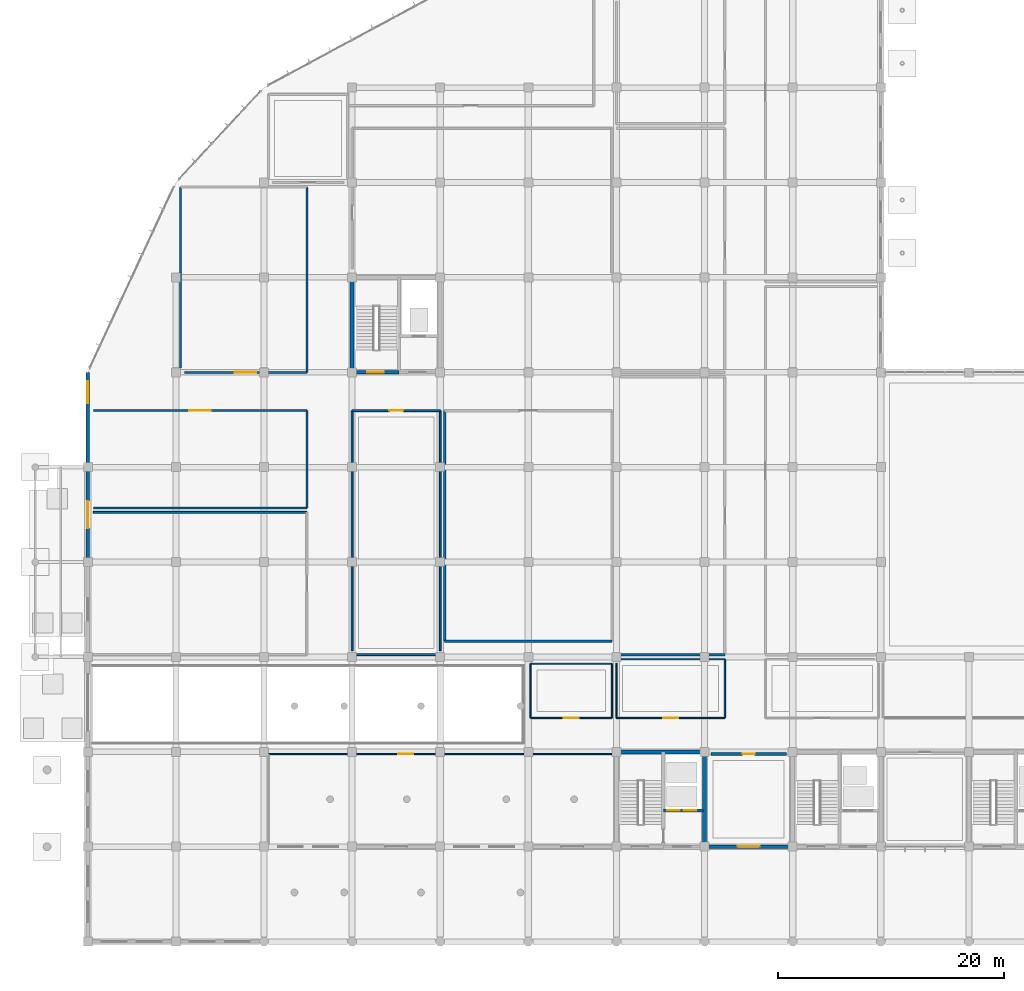
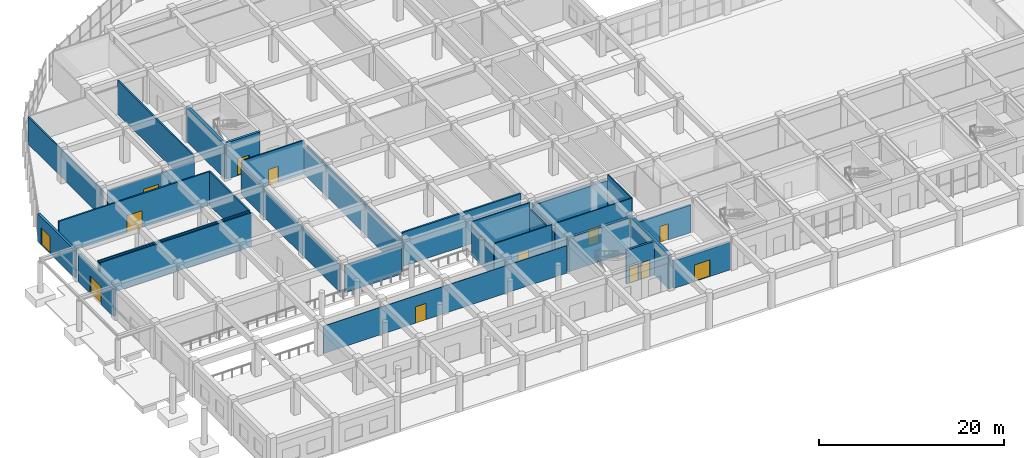
# One storey, part 122 of 139: 32 walls, 13 doors, 13 openings.
"""IFC4 building model written with IfcOpenShell, lengths in metres."""

from ifc_helpers import new_model, si_unit, direction, frame, frame_2d, origin, place, context, subcontext, project, spatial, rectangle, extrude, material, layer, layer_set, type_object, element, fill, save


model = new_model("IFC4")

# Units and contexts
model_context = context("Model", 3, precision=1e-05, world=origin(), true_north=direction((0.0, 1.0)))
body_context = subcontext(model_context, "Body", "Model", "MODEL_VIEW")
ifc_project = project(units=[si_unit("LENGTHUNIT", "METRE"), si_unit("AREAUNIT", "SQUARE_METRE"), si_unit("VOLUMEUNIT", "CUBIC_METRE"), si_unit("PLANEANGLEUNIT", "RADIAN"), si_unit("MASSUNIT", "GRAM", prefix="KILO")], contexts=[model_context])

# Site, building, storey
site_placement = place(None, origin())
site = spatial("IfcSite", under=ifc_project, at=site_placement, CompositionType="ELEMENT")
building_placement = place(site_placement, origin())
building = spatial("IfcBuilding", under=site, at=building_placement, Name="Zizhar Promenade General Hospital", CompositionType="ELEMENT")
storey_placement = place(building_placement, origin())
storey = spatial("IfcBuildingStorey", under=building, at=storey_placement, Name="L00", CompositionType="ELEMENT", Elevation=0.0)

# Wall, opening, door
ifc_material_1 = material(Name="Precast concrete C40/50", Category="concrete")
ifc_layer_1 = layer(ifc_material_1, 0.2900390625)
ifc_layer_set_1 = layer_set([ifc_layer_1], Name="Precast concrete C40/50")
wall_type_1 = type_object("IfcWallType", Name="EW-PC-290", PredefinedType="STANDARD", material=ifc_layer_set_1)
wall_1_placement = place(storey_placement, frame((0.0, 42.340087890625, 0.0), z_axis=(0.0, 0.0, 1.0), x_axis=(0.0, 1.0, 0.0)))
wall_1 = element("IfcWall", 1, at=wall_1_placement, inside=storey, type_object=wall_type_1, Name="Emergency Stair ST-01 West Exit Wall", PredefinedType="STANDARD", context=body_context, shape_type="SweptSolid", body=[
    extrude(rectangle(XDim=8.059814453125, YDim=0.2900390625, at=frame_2d((4.02978515625, 0.0))), origin(), (0.0, 0.0, 1.0), 3.6298828125),
])
opening_1_placement = place(wall_1_placement, frame((5.306884765625, 0.0, 0.0)))
opening_1 = element("IfcOpeningElement", 2, at=opening_1_placement, cuts=wall_1, Name="Opening ED-02", PredefinedType="OPENING", context=body_context, shape_type="SweptSolid", body=[
    extrude(rectangle(XDim=1.9599609375, YDim=2.199951171875, at=frame_2d((0.97998046875, 1.10009765625))), frame((0.0, 0.155029296875, 0.0), z_axis=(0.0, -1.0, 0.0), x_axis=(1.0, 0.0, 0.0)), (0.0, 0.0, 1.0), 0.31005859375),
])
ifc_material_2 = material(Name="Anodised aluminium 6063-T6 and laminated safety glass", Category="aluminium")
door_type_1 = type_object("IfcDoorType", Name="DR-EXT-EXIT-196x220", OperationType="DOUBLE_DOOR_SINGLE_SWING", PredefinedType="DOOR", material=ifc_material_2)
door_1_placement = place(opening_1_placement, origin())
door_1 = element("IfcDoor", 3, at=door_1_placement, inside=storey, type_object=door_type_1, Name="Exit Stair ST-01 West Final Exit Door", OperationType="DOUBLE_DOOR_SINGLE_SWING", OverallHeight=2.199951171875, OverallWidth=1.9599609375, PredefinedType="DOOR", context=body_context, shape_type="SweptSolid", body=[
    extrude(rectangle(XDim=1.9599609375, YDim=2.199951171875, at=frame_2d((0.97998046875, 1.10009765625))), frame((0.0, 0.02490234375, 0.0), z_axis=(0.0, -1.0, 0.0), x_axis=(1.0, 0.0, 0.0)), (0.0, 0.0, 1.0), 0.050048828125),
])
fill(opening_1, door_1)

ifc_material_3 = material(Name="Precast concrete C40/50", Category="concrete")
ifc_layer_2 = layer(ifc_material_3, 0.320068359375)
ifc_layer_set_2 = layer_set([ifc_layer_2], Name="Precast concrete C40/50")
wall_type_2 = type_object("IfcWallType", Name="EW-PC-320", PredefinedType="STANDARD", material=ifc_layer_set_2)
wall_2_placement = place(storey_placement, frame((62.06005859375, 8.39990234375, 0.0), z_axis=(0.0, 0.0, 1.0), x_axis=(-1.0, 0.0, 0.0)))
wall_2 = element("IfcWall", 4, at=wall_2_placement, inside=storey, type_object=wall_type_2, Name="Promenade Ground Wall Bay 6", PredefinedType="STANDARD", context=body_context, shape_type="SweptSolid", body=[
    extrude(rectangle(XDim=7.1201171875, YDim=0.320068359375, at=frame_2d((3.56005859375, 0.0))), origin(), (0.0, 0.0, 1.0), 3.6298828125),
])
opening_2_placement = place(wall_2_placement, frame((2.580078125, 0.0, 0.0)))
opening_2 = element("IfcOpeningElement", 5, at=opening_2_placement, cuts=wall_2, Name="Opening ED-02", PredefinedType="OPENING", context=body_context, shape_type="SweptSolid", body=[
    extrude(rectangle(XDim=1.9599609375, YDim=2.199951171875, at=frame_2d((0.97998046875, 1.10009765625))), frame((0.0, 0.169921875, 0.0), z_axis=(0.0, -1.0, 0.0), x_axis=(1.0, 0.0, 0.0)), (0.0, 0.0, 1.0), 0.340087890625),
])
door_2_placement = place(opening_2_placement, origin())
door_2 = element("IfcDoor", 6, at=door_2_placement, inside=storey, type_object=door_type_1, Name="Promenade Final Exit Door 6", OperationType="DOUBLE_DOOR_SINGLE_SWING", OverallHeight=2.199951171875, OverallWidth=1.9599609375, PredefinedType="DOOR", context=body_context, shape_type="SweptSolid", body=[
    extrude(rectangle(XDim=1.9599609375, YDim=2.199951171875, at=frame_2d((0.97998046875, 1.10009765625))), frame((0.0, 0.02490234375, 0.0), z_axis=(0.0, -1.0, 0.0), x_axis=(1.0, 0.0, 0.0)), (0.0, 0.0, 1.0), 0.050048828125),
])
fill(opening_2, door_2)

wall_3_placement = place(storey_placement, frame((0.0, 33.93994140625, 0.0), z_axis=(0.0, 0.0, 1.0), x_axis=(0.0, 1.0, 0.0)))
wall_3 = element("IfcWall", 7, at=wall_3_placement, inside=storey, type_object=wall_type_2, Name="Emergency Ambulance Bay Entrance Wall", PredefinedType="STANDARD", context=body_context, shape_type="SweptSolid", body=[
    extrude(rectangle(XDim=7.719970703125, YDim=0.320068359375, at=frame_2d((3.85986328125, 0.0))), origin(), (0.0, 0.0, 1.0), 3.614990234375),
])
opening_3_placement = place(wall_3_placement, frame((2.659912109375, 0.0, 0.0)))
opening_3 = element("IfcOpeningElement", 8, at=opening_3_placement, cuts=wall_3, Name="Opening ED-03", PredefinedType="OPENING", context=body_context, shape_type="SweptSolid", body=[
    extrude(rectangle(XDim=2.39990234375, YDim=2.35009765625, at=frame_2d((1.199951171875, 1.175048828125))), frame((0.0, 0.169921875, 0.0), z_axis=(0.0, -1.0, 0.0), x_axis=(1.0, 0.0, 0.0)), (0.0, 0.0, 1.0), 0.340087890625),
])
ifc_material_4 = material(Name="Anodised aluminium 6063-T6 and laminated safety glass", Category="aluminium")
door_type_2 = type_object("IfcDoorType", Name="DR-EXT-AMB-240x235", OperationType="SLIDING_TO_LEFT", PredefinedType="DOOR", material=ifc_material_4)
door_3_placement = place(opening_3_placement, origin())
door_3 = element("IfcDoor", 9, at=door_3_placement, inside=storey, type_object=door_type_2, Name="Emergency Ambulance Trauma Entrance", OperationType="SLIDING_TO_LEFT", OverallHeight=2.35009765625, OverallWidth=2.39990234375, PredefinedType="DOOR", context=body_context, shape_type="SweptSolid", body=[
    extrude(rectangle(XDim=2.39990234375, YDim=2.35009765625, at=frame_2d((1.199951171875, 1.175048828125))), frame((0.0, 0.02490234375, 0.0), z_axis=(0.0, -1.0, 0.0), x_axis=(1.0, 0.0, 0.0)), (0.0, 0.0, 1.0), 0.050048828125),
])
fill(opening_3, door_3)

ifc_material_5 = material(Name="Concrete C35/45", Category="concrete")
ifc_layer_3 = layer(ifc_material_5, 0.284912109375)
ifc_layer_set_3 = layer_set([ifc_layer_3], Name="Concrete C35/45")
wall_type_3 = type_object("IfcWallType", Name="IW-COMP-285", PredefinedType="STANDARD", material=ifc_layer_set_3)
wall_4_placement = place(storey_placement, frame((55.159912109375, 16.60009765625, 0.0), z_axis=(0.0, 0.0, 1.0), x_axis=(1.0, 0.0, 0.0)))
wall_4 = element("IfcWall", 10, at=wall_4_placement, inside=storey, type_object=wall_type_3, Name="Central Fire Security Post N Partition", PredefinedType="STANDARD", context=body_context, shape_type="SweptSolid", body=[
    extrude(rectangle(XDim=6.68017578125, YDim=0.284912109375, at=frame_2d((3.340087890625, 0.0))), origin(), (0.0, 0.0, 1.0), 3.6298828125),
])
opening_4_placement = place(wall_4_placement, frame((2.800048828125, 0.0, 0.0)))
opening_4 = element("IfcOpeningElement", 11, at=opening_4_placement, cuts=wall_4, Name="Opening D-27", PredefinedType="OPENING", context=body_context, shape_type="SweptSolid", body=[
    extrude(rectangle(XDim=1.080078125, YDim=2.14990234375, at=frame_2d((0.5400390625, 1.074951171875))), frame((0.0, 0.15234375, 0.0), z_axis=(0.0, -1.0, 0.0), x_axis=(1.0, 0.0, 0.0)), (0.0, 0.0, 1.0), 0.304931640625),
])
ifc_material_6 = material(Name="Steel S355 fire command door", Category="steel")
door_type_3 = type_object("IfcDoorType", Name="DR-FIRE-POST-108x215", OperationType="SINGLE_SWING_LEFT", PredefinedType="DOOR", material=ifc_material_6)
door_4_placement = place(opening_4_placement, origin())
door_4 = element("IfcDoor", 12, at=door_4_placement, inside=storey, type_object=door_type_3, Name="Central Fire Security Post Door", OperationType="SINGLE_SWING_LEFT", OverallHeight=2.14990234375, OverallWidth=1.080078125, PredefinedType="DOOR", context=body_context, shape_type="SweptSolid", body=[
    extrude(rectangle(XDim=1.080078125, YDim=2.14990234375, at=frame_2d((0.5400390625, 1.074951171875))), frame((0.0, 0.02490234375, 0.0), z_axis=(0.0, -1.0, 0.0), x_axis=(1.0, 0.0, 0.0)), (0.0, 0.0, 1.0), 0.050048828125),
])
fill(opening_4, door_4)

# Wall
ifc_material_7 = material(Name="Fire-rated corridor gypsum partition")
ifc_layer_4 = layer(ifc_material_7, 0.1650390625)
ifc_layer_set_4 = layer_set([ifc_layer_4], Name="Fire-rated corridor gypsum partition")
wall_type_4 = type_object("IfcWallType", Name="IW-CORR-165", PredefinedType="PARTITIONING", material=ifc_layer_set_4)
wall_5_placement = place(storey_placement, frame((23.760009765625, 25.39990234375, 0.0), z_axis=(0.0, 0.0, 1.0), x_axis=(1.0, 0.0, 0.0)))
element("IfcWall", 13, at=wall_5_placement, inside=storey, type_object=wall_type_4, Name="Emergency Nurse Station and Accessible Toilet S Partition", PredefinedType="PARTITIONING", context=body_context, shape_type="SweptSolid", body=[
    extrude(rectangle(XDim=7.080078125, YDim=0.1650390625, at=frame_2d((3.5400390625, 0.0))), origin(), (0.0, 0.0, 1.0), 3.6298828125),
])

# Wall, opening, door
wall_6_placement = place(storey_placement, frame((23.39990234375, 47.0, 0.0), z_axis=(0.0, 0.0, 1.0), x_axis=(1.0, 0.0, 0.0)))
wall_6 = element("IfcWall", 14, at=wall_6_placement, inside=storey, type_object=wall_type_4, Name="Emergency Nurse Station and Accessible Toilet N Partition", PredefinedType="PARTITIONING", context=body_context, shape_type="SweptSolid", body=[
    extrude(rectangle(XDim=7.800048828125, YDim=0.1650390625, at=frame_2d((3.89990234375, 0.0))), origin(), (0.0, 0.0, 1.0), 4.4599609375),
])
opening_5_placement = place(wall_6_placement, frame((3.27490234375, 0.0, 0.0)))
opening_5 = element("IfcOpeningElement", 15, at=opening_5_placement, cuts=wall_6, Name="Opening D-13", PredefinedType="OPENING", context=body_context, shape_type="SweptSolid", body=[
    extrude(rectangle(XDim=1.25, YDim=2.14990234375, at=frame_2d((0.625, 1.074951171875))), frame((0.0, 0.092529296875, 0.0), z_axis=(0.0, -1.0, 0.0), x_axis=(1.0, 0.0, 0.0)), (0.0, 0.0, 1.0), 0.18505859375),
])
ifc_material_8 = material(Name="Fire-rated timber clinical leaf", Category="wood")
door_type_4 = type_object("IfcDoorType", Name="DR-ED-EXAM-125x215", OperationType="NOTDEFINED", PredefinedType="DOOR", material=ifc_material_8)
door_5_placement = place(opening_5_placement, origin())
door_5 = element("IfcDoor", 16, at=door_5_placement, inside=storey, type_object=door_type_4, Name="Emergency Nurse Station and Accessible Toilet Door", OperationType="SINGLE_SWING_RIGHT", OverallHeight=2.14990234375, OverallWidth=1.25, PredefinedType="DOOR", context=body_context, shape_type="SweptSolid", body=[
    extrude(rectangle(XDim=1.25, YDim=2.14990234375, at=frame_2d((0.625, 1.074951171875))), frame((0.0, 0.02490234375, 0.0), z_axis=(0.0, -1.0, 0.0), x_axis=(1.0, 0.0, 0.0)), (0.0, 0.0, 1.0), 0.050048828125),
])
fill(opening_5, door_5)

# Walls
for number, where, z_axis, x_axis, name in (
    (17, (23.39990234375, 25.760009765625, 0.0), (0.0, 0.0, 1.0), (0.0, 1.0, 0.0), "Emergency Nurse Station and Accessible Toilet W Partition"),
    (18, (31.199951171875, 25.760009765625, 0.0), (0.0, 0.0, 1.0), (0.0, 1.0, 0.0), "Emergency Nurse Station and Accessible Toilet E Partition"),
):
    element("IfcWall", number, at=place(storey_placement, frame(where, z_axis=z_axis, x_axis=x_axis)), inside=storey, type_object=wall_type_4, Name=name, PredefinedType="PARTITIONING", context=body_context, shape_type="SweptSolid", body=[
        extrude(rectangle(XDim=21.239990234375, YDim=0.1650390625, at=frame_2d((10.6201171875, 0.0))), origin(), (0.0, 0.0, 1.0), 3.614990234375),
    ])
wall_7_placement = place(storey_placement, frame((0.5, 38.0, 0.0), z_axis=(0.0, 0.0, 1.0), x_axis=(1.0, 0.0, 0.0)))
element("IfcWall", 19, at=wall_7_placement, inside=storey, type_object=wall_type_4, Name="Emergency Department Walk-In Triage Suite N Partition", PredefinedType="PARTITIONING", context=body_context, shape_type="SweptSolid", body=[
    extrude(rectangle(XDim=18.89990234375, YDim=0.1650390625, at=frame_2d((9.449951171875, 0.0))), origin(), (0.0, 0.0, 1.0), 4.4599609375),
])
ifc_material_9 = material(Name="Acoustic double-stud clinical partition")
ifc_layer_5 = layer(ifc_material_9, 0.179931640625)
ifc_layer_set_5 = layer_set([ifc_layer_5], Name="Acoustic double-stud clinical partition")
wall_type_5 = type_object("IfcWallType", Name="IW-ICU-180", PredefinedType="PARTITIONING", material=ifc_layer_set_5)
wall_8_placement = place(storey_placement, frame((0.5, 38.39990234375, 0.0), z_axis=(0.0, 0.0, 1.0), x_axis=(1.0, 0.0, 0.0)))
element("IfcWall", 20, at=wall_8_placement, inside=storey, type_object=wall_type_5, Name="Emergency Department Resuscitation Bay S Partition", PredefinedType="PARTITIONING", context=body_context, shape_type="SweptSolid", body=[
    extrude(rectangle(XDim=18.89990234375, YDim=0.179931640625, at=frame_2d((9.449951171875, 0.0))), origin(), (0.0, 0.0, 1.0), 4.4599609375),
])

# Wall, opening, door
wall_9_placement = place(storey_placement, frame((0.5, 47.0, 0.0), z_axis=(0.0, 0.0, 1.0), x_axis=(1.0, 0.0, 0.0)))
wall_9 = element("IfcWall", 21, at=wall_9_placement, inside=storey, type_object=wall_type_5, Name="Emergency Department Resuscitation Bay N Partition", PredefinedType="PARTITIONING", context=body_context, shape_type="SweptSolid", body=[
    extrude(rectangle(XDim=18.89990234375, YDim=0.179931640625, at=frame_2d((9.449951171875, 0.0))), origin(), (0.0, 0.0, 1.0), 4.4599609375),
])
opening_6_placement = place(wall_9_placement, frame((8.5, 0.0, 0.0)))
opening_6 = element("IfcOpeningElement", 22, at=opening_6_placement, cuts=wall_9, Name="Opening D-12", PredefinedType="OPENING", context=body_context, shape_type="SweptSolid", body=[
    extrude(rectangle(XDim=1.89990234375, YDim=2.25, at=frame_2d((0.949951171875, 1.125))), frame((0.0, 0.10009765625, 0.0), z_axis=(0.0, -1.0, 0.0), x_axis=(1.0, 0.0, 0.0)), (0.0, 0.0, 1.0), 0.199951171875),
])
ifc_material_10 = material(Name="Fire-rated timber trauma pair", Category="wood")
door_type_5 = type_object("IfcDoorType", Name="DR-ED-RESUS-190x225", OperationType="DOUBLE_DOOR_SINGLE_SWING", PredefinedType="DOOR", material=ifc_material_10)
door_6_placement = place(opening_6_placement, origin())
door_6 = element("IfcDoor", 23, at=door_6_placement, inside=storey, type_object=door_type_5, Name="Emergency Department Resuscitation Bay Door", OperationType="DOUBLE_DOOR_SINGLE_SWING", OverallHeight=2.25, OverallWidth=1.89990234375, PredefinedType="DOOR", context=body_context, shape_type="SweptSolid", body=[
    extrude(rectangle(XDim=1.89990234375, YDim=2.25, at=frame_2d((0.949951171875, 1.125))), frame((0.0, 0.02490234375, 0.0), z_axis=(0.0, -1.0, 0.0), x_axis=(1.0, 0.0, 0.0)), (0.0, 0.0, 1.0), 0.050048828125),
])
fill(opening_6, door_6)

# Wall
wall_10_placement = place(storey_placement, frame((19.39990234375, 38.39990234375, 0.0), z_axis=(0.0, 0.0, 1.0), x_axis=(0.0, 1.0, 0.0)))
element("IfcWall", 24, at=wall_10_placement, inside=storey, type_object=wall_type_5, Name="Emergency Department Resuscitation Bay E Partition", PredefinedType="PARTITIONING", context=body_context, shape_type="SweptSolid", body=[
    extrude(rectangle(XDim=8.60009765625, YDim=0.179931640625, at=frame_2d((4.300048828125, 0.0))), origin(), (0.0, 0.0, 1.0), 4.4599609375),
])

# Wall, opening, door
wall_11_placement = place(storey_placement, frame((8.56005859375, 50.39990234375, 0.0), z_axis=(0.0, 0.0, 1.0), x_axis=(1.0, 0.0, 0.0)))
wall_11 = element("IfcWall", 25, at=wall_11_placement, inside=storey, type_object=wall_type_5, Name="Emergency Department Major Trauma Treatment S Partition", PredefinedType="PARTITIONING", context=body_context, shape_type="SweptSolid", body=[
    extrude(rectangle(XDim=10.83984375, YDim=0.179931640625, at=frame_2d((5.419921875, 0.0))), origin(), (0.0, 0.0, 1.0), 3.6298828125),
])
opening_7_placement = place(wall_11_placement, frame((4.469970703125, 0.0, 0.0)))
opening_7 = element("IfcOpeningElement", 26, at=opening_7_placement, cuts=wall_11, Name="Opening D-12", PredefinedType="OPENING", context=body_context, shape_type="SweptSolid", body=[
    extrude(rectangle(XDim=1.89990234375, YDim=2.25, at=frame_2d((0.949951171875, 1.125))), frame((0.0, 0.10009765625, 0.0), z_axis=(0.0, -1.0, 0.0), x_axis=(1.0, 0.0, 0.0)), (0.0, 0.0, 1.0), 0.199951171875),
])
door_7_placement = place(opening_7_placement, origin())
door_7 = element("IfcDoor", 27, at=door_7_placement, inside=storey, type_object=door_type_5, Name="Emergency Department Major Trauma Treatment Door", OperationType="DOUBLE_DOOR_SINGLE_SWING", OverallHeight=2.25, OverallWidth=1.89990234375, PredefinedType="DOOR", context=body_context, shape_type="SweptSolid", body=[
    extrude(rectangle(XDim=1.89990234375, YDim=2.25, at=frame_2d((0.949951171875, 1.125))), frame((0.0, 0.02490234375, 0.0), z_axis=(0.0, -1.0, 0.0), x_axis=(1.0, 0.0, 0.0)), (0.0, 0.0, 1.0), 0.050048828125),
])
fill(opening_7, door_7)

# Walls
wall_12_placement = place(storey_placement, frame((8.199951171875, 50.760009765625, 0.0), z_axis=(0.0, 0.0, 1.0), x_axis=(0.0, 1.0, 0.0)))
element("IfcWall", 28, at=wall_12_placement, inside=storey, type_object=wall_type_5, Name="Emergency Department Major Trauma Treatment W Partition", PredefinedType="PARTITIONING", context=body_context, shape_type="SweptSolid", body=[
    extrude(rectangle(XDim=16.0400390625, YDim=0.179931640625, at=frame_2d((8.02001953125, 0.0))), origin(), (0.0, 0.0, 1.0), 3.614990234375),
])
wall_13_placement = place(storey_placement, frame((19.39990234375, 50.39990234375, 0.0), z_axis=(0.0, 0.0, 1.0), x_axis=(0.0, 1.0, 0.0)))
element("IfcWall", 29, at=wall_13_placement, inside=storey, type_object=wall_type_5, Name="Emergency Department Major Trauma Treatment E Partition", PredefinedType="PARTITIONING", context=body_context, shape_type="SweptSolid", body=[
    extrude(rectangle(XDim=16.400146484375, YDim=0.179931640625, at=frame_2d((8.2001953125, 0.0))), origin(), (0.0, 0.0, 1.0), 4.4599609375),
])

# Wall, openings, doors
ifc_material_11 = material(Name="Concrete C35/45", Category="concrete")
ifc_layer_6 = layer(ifc_material_11, 0.25)
ifc_layer_set_6 = layer_set([ifc_layer_6], Name="Concrete C35/45")
wall_type_6 = type_object("IfcWallType", Name="IW-SHAFT-250", PredefinedType="STANDARD", material=ifc_layer_set_6)
wall_14_placement = place(storey_placement, frame((50.949951171875, 11.60009765625, 0.0), z_axis=(0.0, 0.0, 1.0), x_axis=(1.0, 0.0, 0.0)))
wall_14 = element("IfcWall", 30, at=wall_14_placement, inside=storey, type_object=wall_type_6, Name="Core C2 Lift Shaft Landing Wall (L00)", PredefinedType="STANDARD", context=body_context, shape_type="SweptSolid", body=[
    extrude(rectangle(XDim=3.5, YDim=0.25, at=frame_2d((1.75, 0.0))), origin(), (0.0, 0.0, 1.0), 4.4599609375),
])
opening_8_placement = place(wall_14_placement, frame((0.35009765625, 0.0, 0.0)))
opening_8 = element("IfcOpeningElement", 31, at=opening_8_placement, cuts=wall_14, Name="Opening LD-11", PredefinedType="OPENING", context=body_context, shape_type="SweptSolid", body=[
    extrude(rectangle(XDim=1.10009765625, YDim=2.199951171875, at=frame_2d((0.550048828125, 1.10009765625))), frame((0.0, 0.135009765625, 0.0), z_axis=(0.0, -1.0, 0.0), x_axis=(1.0, 0.0, 0.0)), (0.0, 0.0, 1.0), 0.27001953125),
])
opening_9_placement = place(wall_14_placement, frame((1.800048828125, 0.0, 0.0)))
opening_9 = element("IfcOpeningElement", 32, at=opening_9_placement, cuts=wall_14, Name="Opening LD-11", PredefinedType="OPENING", context=body_context, shape_type="SweptSolid", body=[
    extrude(rectangle(XDim=1.10009765625, YDim=2.199951171875, at=frame_2d((0.550048828125, 1.10009765625))), frame((0.0, 0.135009765625, 0.0), z_axis=(0.0, -1.0, 0.0), x_axis=(1.0, 0.0, 0.0)), (0.0, 0.0, 1.0), 0.27001953125),
])
ifc_material_12 = material(Name="Stainless Steel S355 passenger lift landing door", Category="steel")
door_type_6 = type_object("IfcDoorType", Name="DR-LIFT-LD11", OperationType="SLIDING_TO_LEFT", PredefinedType="DOOR", material=ifc_material_12)
door_8_placement = place(opening_8_placement, origin())
door_8 = element("IfcDoor", 33, at=door_8_placement, inside=storey, type_object=door_type_6, Name="Lift LF-01 Sliding Landing Door (L00)", OperationType="SLIDING_TO_LEFT", OverallHeight=2.199951171875, OverallWidth=1.10009765625, PredefinedType="DOOR", context=body_context, shape_type="SweptSolid", body=[
    extrude(rectangle(XDim=1.10009765625, YDim=2.199951171875, at=frame_2d((0.550048828125, 1.10009765625))), frame((0.0, 0.02490234375, 0.0), z_axis=(0.0, -1.0, 0.0), x_axis=(1.0, 0.0, 0.0)), (0.0, 0.0, 1.0), 0.050048828125),
])
fill(opening_8, door_8)
door_9_placement = place(opening_9_placement, origin())
door_9 = element("IfcDoor", 34, at=door_9_placement, inside=storey, type_object=door_type_6, Name="Lift LB-01 Sliding Landing Door (L00)", OperationType="SLIDING_TO_LEFT", OverallHeight=2.199951171875, OverallWidth=1.10009765625, PredefinedType="DOOR", context=body_context, shape_type="SweptSolid", body=[
    extrude(rectangle(XDim=1.10009765625, YDim=2.199951171875, at=frame_2d((0.550048828125, 1.10009765625))), frame((0.0, 0.02490234375, 0.0), z_axis=(0.0, -1.0, 0.0), x_axis=(1.0, 0.0, 0.0)), (0.0, 0.0, 1.0), 0.050048828125),
])
fill(opening_9, door_9)

# Wall, opening, door
ifc_material_13 = material(Name="Clean utility gypsum partition")
ifc_layer_7 = layer(ifc_material_13, 0.114990234375)
ifc_layer_set_7 = layer_set([ifc_layer_7], Name="Clean utility gypsum partition")
wall_type_7 = type_object("IfcWallType", Name="IW-STR-115", PredefinedType="PARTITIONING", material=ifc_layer_set_7)
wall_15_placement = place(storey_placement, frame((16.0, 16.60009765625, 0.0), z_axis=(0.0, 0.0, 1.0), x_axis=(1.0, 0.0, 0.0)))
wall_15 = element("IfcWall", 35, at=wall_15_placement, inside=storey, type_object=wall_type_7, Name="Admissions and Patient Liaison Suite N Partition", PredefinedType="PARTITIONING", context=body_context, shape_type="SweptSolid", body=[
    extrude(rectangle(XDim=30.39990234375, YDim=0.114990234375, at=frame_2d((15.199951171875, 0.0))), origin(), (0.0, 0.0, 1.0), 3.6298828125),
])
opening_10_placement = place(wall_15_placement, frame((11.5, 0.0, 0.0)))
opening_10 = element("IfcOpeningElement", 36, at=opening_10_placement, cuts=wall_15, Name="Opening D-26", PredefinedType="OPENING", context=body_context, shape_type="SweptSolid", body=[
    extrude(rectangle(XDim=1.320068359375, YDim=2.14990234375, at=frame_2d((0.66015625, 1.074951171875))), frame((0.0, 0.0673828125, 0.0), z_axis=(0.0, -1.0, 0.0), x_axis=(1.0, 0.0, 0.0)), (0.0, 0.0, 1.0), 0.135009765625),
])
ifc_material_14 = material(Name="Fire-rated timber store leaf", Category="wood")
door_type_7 = type_object("IfcDoorType", Name="DR-STORE-132x215", OperationType="NOTDEFINED", PredefinedType="DOOR", material=ifc_material_14)
door_10_placement = place(opening_10_placement, origin())
door_10 = element("IfcDoor", 37, at=door_10_placement, inside=storey, type_object=door_type_7, Name="Admissions and Patient Liaison Suite Door", OperationType="SINGLE_SWING_RIGHT", OverallHeight=2.14990234375, OverallWidth=1.320068359375, PredefinedType="DOOR", context=body_context, shape_type="SweptSolid", body=[
    extrude(rectangle(XDim=1.320068359375, YDim=2.14990234375, at=frame_2d((0.66015625, 1.074951171875))), frame((0.0, 0.02490234375, 0.0), z_axis=(0.0, -1.0, 0.0), x_axis=(1.0, 0.0, 0.0)), (0.0, 0.0, 1.0), 0.050048828125),
])
fill(opening_10, door_10)

wall_16_placement = place(storey_placement, frame((39.199951171875, 19.800048828125, 0.0), z_axis=(0.0, 0.0, 1.0), x_axis=(1.0, 0.0, 0.0)))
wall_16 = element("IfcWall", 38, at=wall_16_placement, inside=storey, type_object=wall_type_7, Name="Outpatient Phlebotomy and Specimen Collection S Partition", PredefinedType="PARTITIONING", context=body_context, shape_type="SweptSolid", body=[
    extrude(rectangle(XDim=7.199951171875, YDim=0.114990234375, at=frame_2d((3.60009765625, 0.0))), origin(), (0.0, 0.0, 1.0), 4.4599609375),
])
opening_11_placement = place(wall_16_placement, frame((2.93994140625, 0.0, 0.0)))
opening_11 = element("IfcOpeningElement", 39, at=opening_11_placement, cuts=wall_16, Name="Opening D-26", PredefinedType="OPENING", context=body_context, shape_type="SweptSolid", body=[
    extrude(rectangle(XDim=1.320068359375, YDim=2.14990234375, at=frame_2d((0.66015625, 1.074951171875))), frame((0.0, 0.0673828125, 0.0), z_axis=(0.0, -1.0, 0.0), x_axis=(1.0, 0.0, 0.0)), (0.0, 0.0, 1.0), 0.135009765625),
])
door_11_placement = place(opening_11_placement, origin())
door_11 = element("IfcDoor", 40, at=door_11_placement, inside=storey, type_object=door_type_7, Name="Outpatient Phlebotomy and Specimen Collection Door", OperationType="SINGLE_SWING_LEFT", OverallHeight=2.14990234375, OverallWidth=1.320068359375, PredefinedType="DOOR", context=body_context, shape_type="SweptSolid", body=[
    extrude(rectangle(XDim=1.320068359375, YDim=2.14990234375, at=frame_2d((0.66015625, 1.074951171875))), frame((0.0, 0.02490234375, 0.0), z_axis=(0.0, -1.0, 0.0), x_axis=(1.0, 0.0, 0.0)), (0.0, 0.0, 1.0), 0.050048828125),
])
fill(opening_11, door_11)

# Walls
wall_17_placement = place(storey_placement, frame((39.199951171875, 24.60009765625, 0.0), z_axis=(0.0, 0.0, 1.0), x_axis=(1.0, 0.0, 0.0)))
element("IfcWall", 41, at=wall_17_placement, inside=storey, type_object=wall_type_7, Name="Outpatient Phlebotomy and Specimen Collection N Partition", PredefinedType="PARTITIONING", context=body_context, shape_type="SweptSolid", body=[
    extrude(rectangle(XDim=7.199951171875, YDim=0.114990234375, at=frame_2d((3.60009765625, 0.0))), origin(), (0.0, 0.0, 1.0), 4.4599609375),
])
wall_18_placement = place(storey_placement, frame((39.199951171875, 19.800048828125, 0.0), z_axis=(0.0, 0.0, 1.0), x_axis=(0.0, 1.0, 0.0)))
element("IfcWall", 42, at=wall_18_placement, inside=storey, type_object=wall_type_7, Name="Outpatient Phlebotomy and Specimen Collection W Partition", PredefinedType="PARTITIONING", context=body_context, shape_type="SweptSolid", body=[
    extrude(rectangle(XDim=4.800048828125, YDim=0.114990234375, at=frame_2d((2.39990234375, 0.0))), origin(), (0.0, 0.0, 1.0), 3.614990234375),
])
wall_19_placement = place(storey_placement, frame((46.39990234375, 19.800048828125, 0.0), z_axis=(0.0, 0.0, 1.0), x_axis=(0.0, 1.0, 0.0)))
element("IfcWall", 43, at=wall_19_placement, inside=storey, type_object=wall_type_7, Name="Outpatient Phlebotomy and Specimen Collection E Partition", PredefinedType="PARTITIONING", context=body_context, shape_type="SweptSolid", body=[
    extrude(rectangle(XDim=4.800048828125, YDim=0.114990234375, at=frame_2d((2.39990234375, 0.0))), origin(), (0.0, 0.0, 1.0), 3.6298828125),
])

# Wall, opening, door
wall_20_placement = place(storey_placement, frame((46.800048828125, 19.800048828125, 0.0), z_axis=(0.0, 0.0, 1.0), x_axis=(1.0, 0.0, 0.0)))
wall_20 = element("IfcWall", 44, at=wall_20_placement, inside=storey, type_object=wall_type_7, Name="Nuclear Medicine Reception S Partition", PredefinedType="PARTITIONING", context=body_context, shape_type="SweptSolid", body=[
    extrude(rectangle(XDim=9.599853515625, YDim=0.114990234375, at=frame_2d((4.7998046875, 0.0))), origin(), (0.0, 0.0, 1.0), 4.4599609375),
])
opening_12_placement = place(wall_20_placement, frame((4.139892578125, 0.0, 0.0)))
opening_12 = element("IfcOpeningElement", 45, at=opening_12_placement, cuts=wall_20, Name="Opening D-26", PredefinedType="OPENING", context=body_context, shape_type="SweptSolid", body=[
    extrude(rectangle(XDim=1.320068359375, YDim=2.14990234375, at=frame_2d((0.66015625, 1.074951171875))), frame((0.0, 0.0673828125, 0.0), z_axis=(0.0, -1.0, 0.0), x_axis=(1.0, 0.0, 0.0)), (0.0, 0.0, 1.0), 0.135009765625),
])
door_12_placement = place(opening_12_placement, origin())
door_12 = element("IfcDoor", 46, at=door_12_placement, inside=storey, type_object=door_type_7, Name="Nuclear Medicine Reception Door", OperationType="SINGLE_SWING_RIGHT", OverallHeight=2.14990234375, OverallWidth=1.320068359375, PredefinedType="DOOR", context=body_context, shape_type="SweptSolid", body=[
    extrude(rectangle(XDim=1.320068359375, YDim=2.14990234375, at=frame_2d((0.66015625, 1.074951171875))), frame((0.0, 0.02490234375, 0.0), z_axis=(0.0, -1.0, 0.0), x_axis=(1.0, 0.0, 0.0)), (0.0, 0.0, 1.0), 0.050048828125),
])
fill(opening_12, door_12)

# Walls
wall_21_placement = place(storey_placement, frame((47.159912109375, 25.0, 0.0), z_axis=(0.0, 0.0, 1.0), x_axis=(1.0, 0.0, 0.0)))
element("IfcWall", 47, at=wall_21_placement, inside=storey, type_object=wall_type_7, Name="Nuclear Medicine Reception N Partition", PredefinedType="PARTITIONING", context=body_context, shape_type="SweptSolid", body=[
    extrude(rectangle(XDim=9.239990234375, YDim=0.114990234375, at=frame_2d((4.6201171875, 0.0))), origin(), (0.0, 0.0, 1.0), 3.6298828125),
])
wall_22_placement = place(storey_placement, frame((46.800048828125, 19.800048828125, 0.0), z_axis=(0.0, 0.0, 1.0), x_axis=(0.0, 1.0, 0.0)))
element("IfcWall", 48, at=wall_22_placement, inside=storey, type_object=wall_type_7, Name="Nuclear Medicine Reception W Partition", PredefinedType="PARTITIONING", context=body_context, shape_type="SweptSolid", body=[
    extrude(rectangle(XDim=4.83984375, YDim=0.114990234375, at=frame_2d((2.419921875, 0.0))), origin(), (0.0, 0.0, 1.0), 3.614990234375),
])
wall_23_placement = place(storey_placement, frame((56.39990234375, 19.800048828125, 0.0), z_axis=(0.0, 0.0, 1.0), x_axis=(0.0, 1.0, 0.0)))
element("IfcWall", 49, at=wall_23_placement, inside=storey, type_object=wall_type_7, Name="Nuclear Medicine Reception E Partition", PredefinedType="PARTITIONING", context=body_context, shape_type="SweptSolid", body=[
    extrude(rectangle(XDim=5.199951171875, YDim=0.114990234375, at=frame_2d((2.60009765625, 0.0))), origin(), (0.0, 0.0, 1.0), 4.4599609375),
])
ifc_material_15 = material(Name="Lead-lined gypsum acoustic partition")
ifc_layer_8 = layer(ifc_material_15, 0.205078125)
ifc_layer_set_8 = layer_set([ifc_layer_8], Name="Lead-lined gypsum acoustic partition")
wall_type_8 = type_object("IfcWallType", Name="IW-XRAY-205", PredefinedType="PARTITIONING", material=ifc_layer_set_8)
wall_24_placement = place(storey_placement, frame((31.60009765625, 26.60009765625, 0.0), z_axis=(0.0, 0.0, 1.0), x_axis=(1.0, 0.0, 0.0)))
element("IfcWall", 50, at=wall_24_placement, inside=storey, type_object=wall_type_8, Name="Emergency Department CT and Trauma X-Ray S Partition", PredefinedType="PARTITIONING", context=body_context, shape_type="SweptSolid", body=[
    extrude(rectangle(XDim=14.7998046875, YDim=0.205078125, at=frame_2d((7.39990234375, 0.0))), origin(), (0.0, 0.0, 1.0), 4.4599609375),
])
wall_25_placement = place(storey_placement, frame((31.60009765625, 26.60009765625, 0.0), z_axis=(0.0, 0.0, 1.0), x_axis=(0.0, 1.0, 0.0)))
element("IfcWall", 51, at=wall_25_placement, inside=storey, type_object=wall_type_8, Name="Emergency Department CT and Trauma X-Ray W Partition", PredefinedType="PARTITIONING", context=body_context, shape_type="SweptSolid", body=[
    extrude(rectangle(XDim=20.39990234375, YDim=0.205078125, at=frame_2d((10.199951171875, 0.0))), origin(), (0.0, 0.0, 1.0), 3.614990234375),
])
wall_26_placement = place(storey_placement, frame((47.159912109375, 25.39990234375, 0.0), z_axis=(0.0, 0.0, 1.0), x_axis=(1.0, 0.0, 0.0)))
element("IfcWall", 52, at=wall_26_placement, inside=storey, type_object=wall_type_8, Name="MRI Diagnostic Imaging Suite 01 S Partition", PredefinedType="PARTITIONING", context=body_context, shape_type="SweptSolid", body=[
    extrude(rectangle(XDim=9.239990234375, YDim=0.205078125, at=frame_2d((4.6201171875, 0.0))), origin(), (0.0, 0.0, 1.0), 3.6298828125),
])

# Wall, opening, door
ifc_material_16 = material(Name="Concrete C40/50", Category="concrete")
ifc_layer_9 = layer(ifc_material_16, 0.300048828125)
ifc_layer_set_9 = layer_set([ifc_layer_9], Name="Concrete C40/50")
wall_type_9 = type_object("IfcWallType", Name="WL-CORE-300", PredefinedType="SHEAR", material=ifc_layer_set_9)
wall_27_placement = place(storey_placement, frame((23.39990234375, 50.39990234375, 0.0), z_axis=(0.0, 0.0, 1.0), x_axis=(1.0, 0.0, 0.0)))
wall_27 = element("IfcWall", 53, at=wall_27_placement, inside=storey, type_object=wall_type_9, Name="Core C1 Stair South Fire Wall (L00)", PredefinedType="SHEAR", context=body_context, shape_type="SweptSolid", body=[
    extrude(rectangle(XDim=4.150146484375, YDim=0.300048828125, at=frame_2d((2.0751953125, 0.0))), origin(), (0.0, 0.0, 1.0), 4.800048828125),
])
opening_13_placement = place(wall_27_placement, frame((1.3349609375, 0.0, 0.0)))
opening_13 = element("IfcOpeningElement", 54, at=opening_13_placement, cuts=wall_27, Name="Opening D-20", PredefinedType="OPENING", context=body_context, shape_type="SweptSolid", body=[
    extrude(rectangle(XDim=1.47998046875, YDim=2.199951171875, at=frame_2d((0.739990234375, 1.10009765625))), frame((0.0, 0.16015625, 0.0), z_axis=(0.0, -1.0, 0.0), x_axis=(1.0, 0.0, 0.0)), (0.0, 0.0, 1.0), 0.320068359375),
])
ifc_material_17 = material(Name="Steel S355 fire-exit pair", Category="steel")
door_type_8 = type_object("IfcDoorType", Name="DR-STAIR-148x220", OperationType="DOUBLE_DOOR_SINGLE_SWING", PredefinedType="DOOR", material=ifc_material_17)
door_13_placement = place(opening_13_placement, origin())
door_13 = element("IfcDoor", 55, at=door_13_placement, inside=storey, type_object=door_type_8, Name="Exit Stair ST-01 Door (L00)", OperationType="DOUBLE_DOOR_SINGLE_SWING", OverallHeight=2.199951171875, OverallWidth=1.47998046875, PredefinedType="DOOR", context=body_context, shape_type="SweptSolid", body=[
    extrude(rectangle(XDim=1.47998046875, YDim=2.199951171875, at=frame_2d((0.739990234375, 1.10009765625))), frame((0.0, 0.02490234375, 0.0), z_axis=(0.0, -1.0, 0.0), x_axis=(1.0, 0.0, 0.0)), (0.0, 0.0, 1.0), 0.050048828125),
])
fill(opening_13, door_13)

# Walls
ifc_material_18 = material(Name="Concrete C40/50", Category="concrete")
ifc_layer_10 = layer(ifc_material_18, 0.35009765625)
ifc_layer_set_10 = layer_set([ifc_layer_10], Name="Concrete C40/50")
wall_type_10 = type_object("IfcWallType", Name="WL-CORE-350", PredefinedType="SHEAR", material=ifc_layer_set_10)
wall_28_placement = place(storey_placement, frame((23.39990234375, 50.39990234375, 0.0), z_axis=(0.0, 0.0, 1.0), x_axis=(0.0, 1.0, 0.0)))
element("IfcWall", 56, at=wall_28_placement, inside=storey, type_object=wall_type_10, Name="Core C1 West Shear Wall L00", PredefinedType="SHEAR", context=body_context, shape_type="SweptSolid", body=[
    extrude(rectangle(XDim=8.400146484375, YDim=0.35009765625, at=frame_2d((4.2001953125, 0.0))), origin(), (0.0, 0.0, 1.0), 4.47998046875),
])
wall_29_placement = place(storey_placement, frame((46.625, 16.800048828125, 0.0), z_axis=(0.0, 0.0, 1.0), x_axis=(1.0, 0.0, 0.0)))
element("IfcWall", 57, at=wall_29_placement, inside=storey, type_object=wall_type_10, Name="Core C2 North Shear Wall L00", PredefinedType="SHEAR", context=body_context, shape_type="SweptSolid", body=[
    extrude(rectangle(XDim=8.14990234375, YDim=0.35009765625, at=frame_2d((4.074951171875, 0.0))), origin(), (0.0, 0.0, 1.0), 4.47998046875),
])
wall_30_placement = place(storey_placement, frame((54.60009765625, 8.39990234375, 0.0), z_axis=(0.0, 0.0, 1.0), x_axis=(0.0, 1.0, 0.0)))
element("IfcWall", 58, at=wall_30_placement, inside=storey, type_object=wall_type_10, Name="Core C2 East Shear Wall L00", PredefinedType="SHEAR", context=body_context, shape_type="SweptSolid", body=[
    extrude(rectangle(XDim=8.400146484375, YDim=0.35009765625, at=frame_2d((4.2001953125, 0.0))), origin(), (0.0, 0.0, 1.0), 4.47998046875),
])

save(model, "model.ifc")
